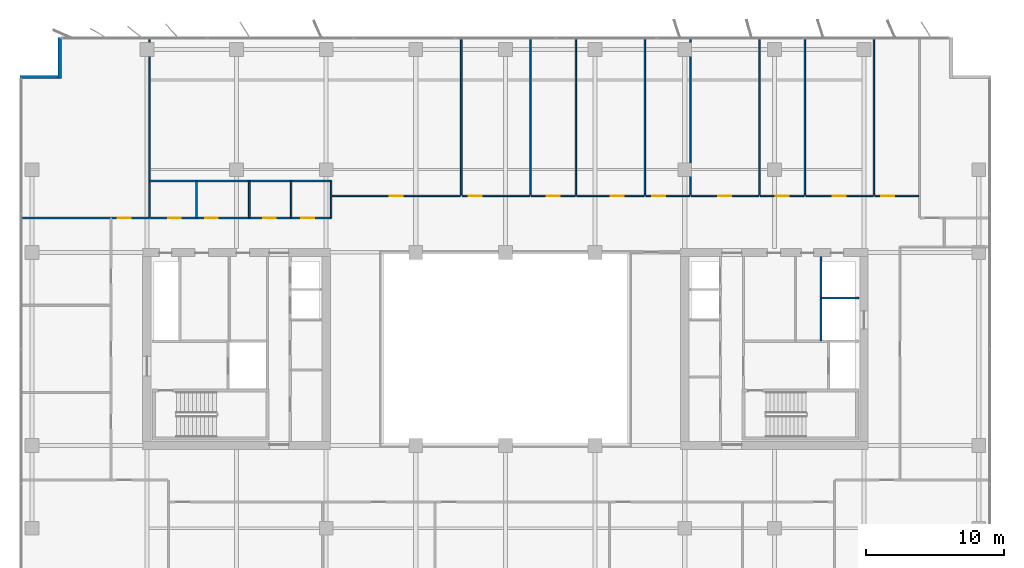
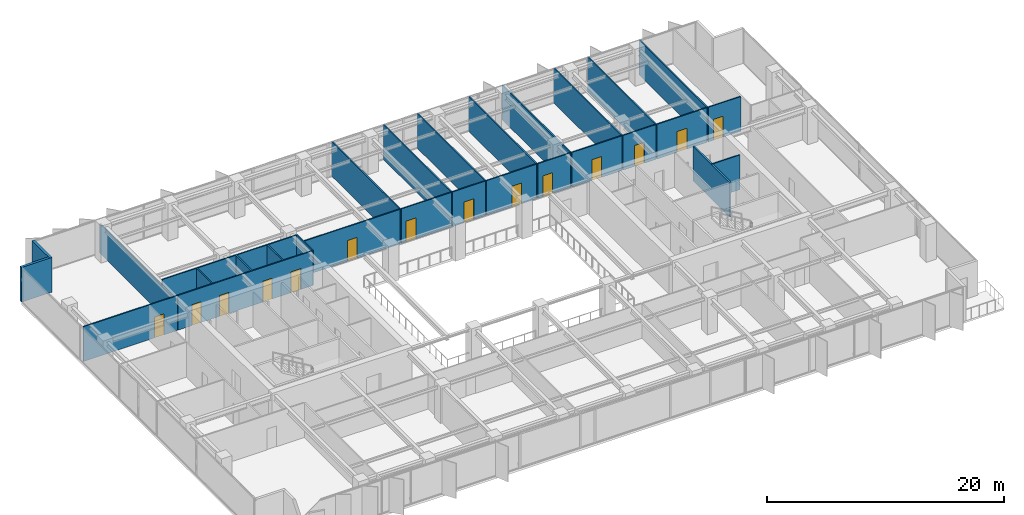
# One storey, part 17 of 22: 29 walls, 14 doors, 14 openings.
"""IFC4 building model written with IfcOpenShell, lengths in metres."""

from ifc_helpers import new_model, si_unit, direction, frame, frame_2d, origin, place, context, subcontext, project, spatial, rectangle, extrude, material, layer, layer_set, type_object, element, fill, save


model = new_model("IFC4")

# Units and contexts
model_context = context("Model", 3, precision=1e-05, world=origin(), true_north=direction((0.0, 1.0)))
body_context = subcontext(model_context, "Body", "Model", "MODEL_VIEW")
ifc_project = project(units=[si_unit("LENGTHUNIT", "METRE"), si_unit("AREAUNIT", "SQUARE_METRE"), si_unit("VOLUMEUNIT", "CUBIC_METRE"), si_unit("PLANEANGLEUNIT", "RADIAN"), si_unit("MASSUNIT", "GRAM", prefix="KILO")], contexts=[model_context])

# Site, building, storey
site_placement = place(None, origin())
site = spatial("IfcSite", under=ifc_project, at=site_placement, CompositionType="ELEMENT")
building_placement = place(site_placement, origin())
building = spatial("IfcBuilding", under=site, at=building_placement, Name="Putna Gate Headquarters", CompositionType="ELEMENT")
storey_placement = place(building_placement, frame((0.0, 0.0, 186.0)))
storey = spatial("IfcBuildingStorey", under=building, at=storey_placement, Name="L46", CompositionType="ELEMENT", Elevation=186.0)

# Walls
ifc_material_1 = material(Name="Precast concrete C40/50", Category="concrete")
ifc_layer_1 = layer(ifc_material_1, 0.239990234375)
ifc_layer_set_1 = layer_set([ifc_layer_1], Name="Precast concrete C40/50")
wall_type_1 = type_object("IfcWallType", Name="WALL-EXT-TERR-240", PredefinedType="STANDARD", material=ifc_layer_set_1)
for number, where, z_axis, x_axis, name in (
    (1, (6.679931640625, 45.60009765625, 0.0), (0.0, 0.0, 1.0), (0.0, 1.0, 0.0), "L46 Corner Notch Return Wall NW-V"),
    (2, (3.800048828125, 45.719970703125, 0.0), (0.0, 0.0, 1.0), (1.0, 0.0, 0.0), "L46 Corner Notch Return Wall NW-H"),
):
    element("IfcWall", number, at=place(storey_placement, frame(where, z_axis=z_axis, x_axis=x_axis)), inside=storey, type_object=wall_type_1, Name=name, PredefinedType="STANDARD", context=body_context, shape_type="SweptSolid", body=[
        extrude(rectangle(XDim=3.0, YDim=0.239990234375, at=frame_2d((1.5, 0.0))), origin(), (0.0, 0.0, 1.0), 3.572021484375),
    ])
ifc_material_2 = material(Name="Acoustic gypsum board on metal stud")
ifc_layer_2 = layer(ifc_material_2, 0.1201171875)
ifc_layer_set_2 = layer_set([ifc_layer_2], Name="Acoustic gypsum board on metal stud")
wall_type_2 = type_object("IfcWallType", Name="WALL-PART-120", PredefinedType="PARTITIONING", material=ifc_layer_set_2)
wall_1_placement = place(storey_placement, frame((13.199951171875, 35.56005859375, 0.0), z_axis=(0.0, 0.0, 1.0), x_axis=(0.0, 1.0, 0.0)))
element("IfcWall", 3, at=wall_1_placement, inside=storey, type_object=wall_type_2, Name="L46 Interior Wall PART-L46-NB-DIV-01", PredefinedType="PARTITIONING", context=body_context, shape_type="SweptSolid", body=[
    extrude(rectangle(XDim=13.02001953125, YDim=0.1201171875, at=frame_2d((6.510009765625, 0.0))), origin(), (0.0, 0.0, 1.0), 3.02197265625),
])
for number, where, z_axis, x_axis, name in (
    (4, (35.800048828125, 37.159912109375, 0.0), (0.0, 0.0, 1.0), (0.0, 1.0, 0.0), "L46 Interior Wall PART-L46-NB-DIV-02"),
    (5, (40.806396484375, 37.159912109375, 0.0), (0.0, 0.0, 1.0), (0.0, 1.0, 0.0), "L46 Interior Wall PART-L46-NB-DIV-03"),
    (6, (44.103515625, 37.159912109375, 0.0), (0.0, 0.0, 1.0), (0.0, 1.0, 0.0), "L46 Interior Wall PART-L46-NB-DIV-04"),
    (7, (49.10986328125, 37.159912109375, 0.0), (0.0, 0.0, 1.0), (0.0, 1.0, 0.0), "L46 Interior Wall PART-L46-NB-DIV-05"),
    (8, (52.40673828125, 37.159912109375, 0.0), (0.0, 0.0, 1.0), (0.0, 1.0, 0.0), "L46 Interior Wall PART-L46-NB-DIV-06"),
    (9, (57.4130859375, 37.159912109375, 0.0), (0.0, 0.0, 1.0), (0.0, 1.0, 0.0), "L46 Interior Wall PART-L46-NB-DIV-07"),
    (10, (60.710205078125, 37.159912109375, 0.0), (0.0, 0.0, 1.0), (0.0, 1.0, 0.0), "L46 Interior Wall PART-L46-NB-DIV-08"),
    (11, (65.716552734375, 37.159912109375, 0.0), (0.0, 0.0, 1.0), (0.0, 1.0, 0.0), "L46 Interior Wall PART-L46-NB-DIV-09"),
):
    element("IfcWall", number, at=place(storey_placement, frame(where, z_axis=z_axis, x_axis=x_axis)), inside=storey, type_object=wall_type_2, Name=name, PredefinedType="PARTITIONING", context=body_context, shape_type="SweptSolid", body=[
        extrude(rectangle(XDim=11.420166015625, YDim=0.1201171875, at=frame_2d((5.7099609375, 0.0))), origin(), (0.0, 0.0, 1.0), 3.572021484375),
    ])
ifc_material_3 = material(Name="Fire-rated shaftwall gypsum board on metal stud")
ifc_layer_3 = layer(ifc_material_3, 0.1201171875)
ifc_layer_set_3 = layer_set([ifc_layer_3], Name="Fire-rated shaftwall gypsum board on metal stud")
wall_type_3 = type_object("IfcWallType", Name="WALL-PART-120-EI120", PredefinedType="PARTITIONING", material=ifc_layer_set_3)
wall_2_placement = place(storey_placement, frame((61.8701171875, 29.699951171875, 0.0), z_axis=(0.0, 0.0, 1.0), x_axis=(1.0, 0.0, 0.0)))
element("IfcWall", 12, at=wall_2_placement, inside=storey, type_object=wall_type_3, Name="L46 Interior Wall CWINT-L46-EC-LF15-N", PredefinedType="PARTITIONING", context=body_context, shape_type="SweptSolid", body=[
    extrude(rectangle(XDim=2.72998046875, YDim=0.1201171875, at=frame_2d((1.364990234375, 0.0))), origin(), (0.0, 0.0, 1.0), 3.572021484375),
])

# Wall, openings, doors
ifc_material_4 = material(Name="Fire-rated gypsum board on metal stud")
ifc_layer_4 = layer(ifc_material_4, 0.1201171875)
ifc_layer_set_4 = layer_set([ifc_layer_4], Name="Fire-rated gypsum board on metal stud")
wall_type_4 = type_object("IfcWallType", Name="WALL-PART-120-RATED", PredefinedType="PARTITIONING", material=ifc_layer_set_4)
wall_3_placement = place(storey_placement, frame((13.199951171875, 35.5, 0.0), z_axis=(0.0, 0.0, 1.0), x_axis=(1.0, 0.0, 0.0)))
wall_3 = element("IfcWall", 13, at=wall_3_placement, inside=storey, type_object=wall_type_4, Name="L46 Interior Wall PART-L46-SAN-CW", PredefinedType="PARTITIONING", context=body_context, shape_type="SweptSolid", body=[
    extrude(rectangle(XDim=13.16015625, YDim=0.1201171875, at=frame_2d((6.580078125, 0.0))), origin(), (0.0, 0.0, 1.0), 3.572021484375),
])
opening_1_placement = place(wall_3_placement, frame((1.35009765625, 0.0, 0.0)))
opening_1 = element("IfcOpeningElement", 14, at=opening_1_placement, cuts=wall_3, Name="Opening FD-90", PredefinedType="OPENING", context=body_context, shape_type="SweptSolid", body=[
    extrude(rectangle(XDim=0.89990234375, YDim=2.14990234375, at=frame_2d((0.449951171875, 1.074951171875))), frame((0.0, 0.070068359375, 0.0), z_axis=(0.0, -1.0, 0.0), x_axis=(1.0, 0.0, 0.0)), (0.0, 0.0, 1.0), 0.14013671875),
])
opening_2_placement = place(wall_3_placement, frame((4.050048828125, 0.0, 0.0)))
opening_2 = element("IfcOpeningElement", 15, at=opening_2_placement, cuts=wall_3, Name="Opening FD-90", PredefinedType="OPENING", context=body_context, shape_type="SweptSolid", body=[
    extrude(rectangle(XDim=0.89990234375, YDim=2.14990234375, at=frame_2d((0.449951171875, 1.074951171875))), frame((0.0, 0.070068359375, 0.0), z_axis=(0.0, -1.0, 0.0), x_axis=(1.0, 0.0, 0.0)), (0.0, 0.0, 1.0), 0.14013671875),
])
opening_3_placement = place(wall_3_placement, frame((8.25, 0.0, 0.0)))
opening_3 = element("IfcOpeningElement", 16, at=opening_3_placement, cuts=wall_3, Name="Opening FD-90", PredefinedType="OPENING", context=body_context, shape_type="SweptSolid", body=[
    extrude(rectangle(XDim=0.89990234375, YDim=2.14990234375, at=frame_2d((0.449951171875, 1.074951171875))), frame((0.0, 0.070068359375, 0.0), z_axis=(0.0, -1.0, 0.0), x_axis=(1.0, 0.0, 0.0)), (0.0, 0.0, 1.0), 0.14013671875),
])
opening_4_placement = place(wall_3_placement, frame((11.0, 0.0, 0.0)))
opening_4 = element("IfcOpeningElement", 17, at=opening_4_placement, cuts=wall_3, Name="Opening FD-95", PredefinedType="OPENING", context=body_context, shape_type="SweptSolid", body=[
    extrude(rectangle(XDim=0.949951171875, YDim=2.14990234375, at=frame_2d((0.47509765625, 1.074951171875))), frame((0.0, 0.070068359375, 0.0), z_axis=(0.0, -1.0, 0.0), x_axis=(1.0, 0.0, 0.0)), (0.0, 0.0, 1.0), 0.14013671875),
])
ifc_material_5 = material(Name="Acoustic washroom fire door")
door_type_1 = type_object("IfcDoorType", Name="DOOR-FIRE-900", OperationType="NOTDEFINED", PredefinedType="DOOR", material=ifc_material_5)
door_1_placement = place(opening_1_placement, origin())
door_1 = element("IfcDoor", 18, at=door_1_placement, inside=storey, type_object=door_type_1, Name="L46 Washroom Male Door", OperationType="SINGLE_SWING_RIGHT", OverallHeight=2.14990234375, OverallWidth=0.89990234375, PredefinedType="DOOR", context=body_context, shape_type="SweptSolid", body=[
    extrude(rectangle(XDim=0.89990234375, YDim=2.14990234375, at=frame_2d((0.449951171875, 1.074951171875))), frame((0.0, 0.02490234375, 0.0), z_axis=(0.0, -1.0, 0.0), x_axis=(1.0, 0.0, 0.0)), (0.0, 0.0, 1.0), 0.050048828125),
])
fill(opening_1, door_1)
door_2_placement = place(opening_2_placement, origin())
door_2 = element("IfcDoor", 19, at=door_2_placement, inside=storey, type_object=door_type_1, Name="L46 Washroom Female Door", OperationType="SINGLE_SWING_LEFT", OverallHeight=2.14990234375, OverallWidth=0.89990234375, PredefinedType="DOOR", context=body_context, shape_type="SweptSolid", body=[
    extrude(rectangle(XDim=0.89990234375, YDim=2.14990234375, at=frame_2d((0.449951171875, 1.074951171875))), frame((0.0, 0.02490234375, 0.0), z_axis=(0.0, -1.0, 0.0), x_axis=(1.0, 0.0, 0.0)), (0.0, 0.0, 1.0), 0.050048828125),
])
fill(opening_2, door_2)
door_3_placement = place(opening_3_placement, origin())
door_3 = element("IfcDoor", 20, at=door_3_placement, inside=storey, type_object=door_type_1, Name="L46 Accessible WC Door", OperationType="SINGLE_SWING_RIGHT", OverallHeight=2.14990234375, OverallWidth=0.89990234375, PredefinedType="DOOR", context=body_context, shape_type="SweptSolid", body=[
    extrude(rectangle(XDim=0.89990234375, YDim=2.14990234375, at=frame_2d((0.449951171875, 1.074951171875))), frame((0.0, 0.02490234375, 0.0), z_axis=(0.0, -1.0, 0.0), x_axis=(1.0, 0.0, 0.0)), (0.0, 0.0, 1.0), 0.050048828125),
])
fill(opening_3, door_3)
ifc_material_6 = material(Name="Acoustic timber fire door", Category="wood")
door_type_2 = type_object("IfcDoorType", Name="DOOR-FIRE-950", OperationType="NOTDEFINED", PredefinedType="DOOR", material=ifc_material_6)
door_4_placement = place(opening_4_placement, origin())
door_4 = element("IfcDoor", 21, at=door_4_placement, inside=storey, type_object=door_type_2, Name="L46 Staff Pantry and Tea Point Door", OperationType="SINGLE_SWING_LEFT", OverallHeight=2.14990234375, OverallWidth=0.949951171875, PredefinedType="DOOR", context=body_context, shape_type="SweptSolid", body=[
    extrude(rectangle(XDim=0.949951171875, YDim=2.14990234375, at=frame_2d((0.47509765625, 1.074951171875))), frame((0.0, 0.02490234375, 0.0), z_axis=(0.0, -1.0, 0.0), x_axis=(1.0, 0.0, 0.0)), (0.0, 0.0, 1.0), 0.050048828125),
])
fill(opening_4, door_4)

# Walls
wall_4_placement = place(storey_placement, frame((13.199951171875, 38.179931640625, 0.0), z_axis=(0.0, 0.0, 1.0), x_axis=(1.0, 0.0, 0.0)))
element("IfcWall", 22, at=wall_4_placement, inside=storey, type_object=wall_type_4, Name="L46 Interior Wall PART-L46-SAN-BACK", PredefinedType="PARTITIONING", context=body_context, shape_type="SweptSolid", body=[
    extrude(rectangle(XDim=13.16015625, YDim=0.1201171875, at=frame_2d((6.580078125, 0.0))), origin(), (0.0, 0.0, 1.0), 3.572021484375),
])
for number, where, z_axis, x_axis, name in (
    (23, (16.60009765625, 35.5, 0.0), (0.0, 0.0, 1.0), (0.0, 1.0, 0.0), "L46 Interior Wall PART-L46-SAN-DIV-1"),
    (24, (20.419921875, 35.5, 0.0), (0.0, 0.0, 1.0), (0.0, 1.0, 0.0), "L46 Interior Wall PART-L46-SAN-DIV-2"),
    (25, (23.4599609375, 35.5, 0.0), (0.0, 0.0, 1.0), (0.0, 1.0, 0.0), "L46 Interior Wall PART-L46-SAN-DIV-3"),
    (26, (26.360107421875, 35.5, 0.0), (0.0, 0.0, 1.0), (0.0, 1.0, 0.0), "L46 Interior Wall PART-L46-SAN-DIV-4"),
):
    element("IfcWall", number, at=place(storey_placement, frame(where, z_axis=z_axis, x_axis=x_axis)), inside=storey, type_object=wall_type_4, Name=name, PredefinedType="PARTITIONING", context=body_context, shape_type="SweptSolid", body=[
        extrude(rectangle(XDim=2.679931640625, YDim=0.1201171875, at=frame_2d((1.33984375, 0.0))), origin(), (0.0, 0.0, 1.0), 3.572021484375),
    ])

# Wall, opening, door
wall_5_placement = place(storey_placement, frame((3.97998046875, 35.5, 0.0), z_axis=(0.0, 0.0, 1.0), x_axis=(1.0, 0.0, 0.0)))
wall_5 = element("IfcWall", 27, at=wall_5_placement, inside=storey, type_object=wall_type_4, Name="L46 Interior Wall PART-L46-NB-CW-01", PredefinedType="PARTITIONING", context=body_context, shape_type="SweptSolid", body=[
    extrude(rectangle(XDim=9.159912109375, YDim=0.1201171875, at=frame_2d((4.580078125, 0.0))), origin(), (0.0, 0.0, 1.0), 3.572021484375),
])
opening_5_placement = place(wall_5_placement, frame((6.89990234375, 0.0, 0.0)))
opening_5 = element("IfcOpeningElement", 28, at=opening_5_placement, cuts=wall_5, Name="Opening FD-95", PredefinedType="OPENING", context=body_context, shape_type="SweptSolid", body=[
    extrude(rectangle(XDim=0.949951171875, YDim=2.14990234375, at=frame_2d((0.47509765625, 1.074951171875))), frame((0.0, 0.070068359375, 0.0), z_axis=(0.0, -1.0, 0.0), x_axis=(1.0, 0.0, 0.0)), (0.0, 0.0, 1.0), 0.14013671875),
])
door_5_placement = place(opening_5_placement, origin())
door_5 = element("IfcDoor", 29, at=door_5_placement, inside=storey, type_object=door_type_2, Name="L46 Conference Meeting Room 3 Door", OperationType="SINGLE_SWING_RIGHT", OverallHeight=2.14990234375, OverallWidth=0.949951171875, PredefinedType="DOOR", context=body_context, shape_type="SweptSolid", body=[
    extrude(rectangle(XDim=0.949951171875, YDim=2.14990234375, at=frame_2d((0.47509765625, 1.074951171875))), frame((0.0, 0.02490234375, 0.0), z_axis=(0.0, -1.0, 0.0), x_axis=(1.0, 0.0, 0.0)), (0.0, 0.0, 1.0), 0.050048828125),
])
fill(opening_5, door_5)

wall_6_placement = place(storey_placement, frame((26.419921875, 37.10009765625, 0.0), z_axis=(0.0, 0.0, 1.0), x_axis=(1.0, 0.0, 0.0)))
wall_6 = element("IfcWall", 30, at=wall_6_placement, inside=storey, type_object=wall_type_4, Name="L46 Interior Wall PART-L46-NB-CW-02", PredefinedType="PARTITIONING", context=body_context, shape_type="SweptSolid", body=[
    extrude(rectangle(XDim=9.320068359375, YDim=0.1201171875, at=frame_2d((4.66015625, 0.0))), origin(), (0.0, 0.0, 1.0), 3.572021484375),
])
opening_6_placement = place(wall_6_placement, frame((4.18505859375, 0.0, 0.0)))
opening_6 = element("IfcOpeningElement", 31, at=opening_6_placement, cuts=wall_6, Name="Opening FD-95", PredefinedType="OPENING", context=body_context, shape_type="SweptSolid", body=[
    extrude(rectangle(XDim=0.949951171875, YDim=2.14990234375, at=frame_2d((0.47509765625, 1.074951171875))), frame((0.0, 0.070068359375, 0.0), z_axis=(0.0, -1.0, 0.0), x_axis=(1.0, 0.0, 0.0)), (0.0, 0.0, 1.0), 0.14013671875),
])
door_6_placement = place(opening_6_placement, origin())
door_6 = element("IfcDoor", 32, at=door_6_placement, inside=storey, type_object=door_type_2, Name="L46 Primary Open Office Workplace Door", OperationType="SINGLE_SWING_LEFT", OverallHeight=2.14990234375, OverallWidth=0.949951171875, PredefinedType="DOOR", context=body_context, shape_type="SweptSolid", body=[
    extrude(rectangle(XDim=0.949951171875, YDim=2.14990234375, at=frame_2d((0.47509765625, 1.074951171875))), frame((0.0, 0.02490234375, 0.0), z_axis=(0.0, -1.0, 0.0), x_axis=(1.0, 0.0, 0.0)), (0.0, 0.0, 1.0), 0.050048828125),
])
fill(opening_6, door_6)

wall_7_placement = place(storey_placement, frame((35.860107421875, 37.10009765625, 0.0), z_axis=(0.0, 0.0, 1.0), x_axis=(1.0, 0.0, 0.0)))
wall_7 = element("IfcWall", 33, at=wall_7_placement, inside=storey, type_object=wall_type_4, Name="L46 Interior Wall PART-L46-NB-CW-03", PredefinedType="PARTITIONING", context=body_context, shape_type="SweptSolid", body=[
    extrude(rectangle(XDim=4.886474609375, YDim=0.1201171875, at=frame_2d((2.443359375, 0.0))), origin(), (0.0, 0.0, 1.0), 3.572021484375),
])
opening_7_placement = place(wall_7_placement, frame((0.47998046875, 0.0, 0.0)))
opening_7 = element("IfcOpeningElement", 34, at=opening_7_placement, cuts=wall_7, Name="Opening FD-95", PredefinedType="OPENING", context=body_context, shape_type="SweptSolid", body=[
    extrude(rectangle(XDim=0.949951171875, YDim=2.14990234375, at=frame_2d((0.47509765625, 1.074951171875))), frame((0.0, 0.070068359375, 0.0), z_axis=(0.0, -1.0, 0.0), x_axis=(1.0, 0.0, 0.0)), (0.0, 0.0, 1.0), 0.14013671875),
])
door_7_placement = place(opening_7_placement, origin())
door_7 = element("IfcDoor", 35, at=door_7_placement, inside=storey, type_object=door_type_2, Name="L46 Collaborative Breakout Lounge 1 Door", OperationType="SINGLE_SWING_RIGHT", OverallHeight=2.14990234375, OverallWidth=0.949951171875, PredefinedType="DOOR", context=body_context, shape_type="SweptSolid", body=[
    extrude(rectangle(XDim=0.949951171875, YDim=2.14990234375, at=frame_2d((0.47509765625, 1.074951171875))), frame((0.0, 0.02490234375, 0.0), z_axis=(0.0, -1.0, 0.0), x_axis=(1.0, 0.0, 0.0)), (0.0, 0.0, 1.0), 0.050048828125),
])
fill(opening_7, door_7)

wall_8_placement = place(storey_placement, frame((40.866455078125, 37.10009765625, 0.0), z_axis=(0.0, 0.0, 1.0), x_axis=(1.0, 0.0, 0.0)))
wall_8 = element("IfcWall", 36, at=wall_8_placement, inside=storey, type_object=wall_type_4, Name="L46 Interior Wall PART-L46-NB-CW-04", PredefinedType="PARTITIONING", context=body_context, shape_type="SweptSolid", body=[
    extrude(rectangle(XDim=3.177001953125, YDim=0.1201171875, at=frame_2d((1.58837890625, 0.0))), origin(), (0.0, 0.0, 1.0), 3.572021484375),
])
opening_8_placement = place(wall_8_placement, frame((1.11328125, 0.0, 0.0)))
opening_8 = element("IfcOpeningElement", 37, at=opening_8_placement, cuts=wall_8, Name="Opening FD-95", PredefinedType="OPENING", context=body_context, shape_type="SweptSolid", body=[
    extrude(rectangle(XDim=0.949951171875, YDim=2.14990234375, at=frame_2d((0.47509765625, 1.074951171875))), frame((0.0, 0.070068359375, 0.0), z_axis=(0.0, -1.0, 0.0), x_axis=(1.0, 0.0, 0.0)), (0.0, 0.0, 1.0), 0.14013671875),
])
door_8_placement = place(opening_8_placement, origin())
door_8 = element("IfcDoor", 38, at=door_8_placement, inside=storey, type_object=door_type_2, Name="L46 Collaborative Breakout Lounge 2 Door", OperationType="SINGLE_SWING_LEFT", OverallHeight=2.14990234375, OverallWidth=0.949951171875, PredefinedType="DOOR", context=body_context, shape_type="SweptSolid", body=[
    extrude(rectangle(XDim=0.949951171875, YDim=2.14990234375, at=frame_2d((0.47509765625, 1.074951171875))), frame((0.0, 0.02490234375, 0.0), z_axis=(0.0, -1.0, 0.0), x_axis=(1.0, 0.0, 0.0)), (0.0, 0.0, 1.0), 0.050048828125),
])
fill(opening_8, door_8)

wall_9_placement = place(storey_placement, frame((44.163330078125, 37.10009765625, 0.0), z_axis=(0.0, 0.0, 1.0), x_axis=(1.0, 0.0, 0.0)))
wall_9 = element("IfcWall", 39, at=wall_9_placement, inside=storey, type_object=wall_type_4, Name="L46 Interior Wall PART-L46-NB-CW-05", PredefinedType="PARTITIONING", context=body_context, shape_type="SweptSolid", body=[
    extrude(rectangle(XDim=4.886474609375, YDim=0.1201171875, at=frame_2d((2.443359375, 0.0))), origin(), (0.0, 0.0, 1.0), 3.572021484375),
])
opening_9_placement = place(wall_9_placement, frame((2.470458984375, 0.0, 0.0)))
opening_9 = element("IfcOpeningElement", 40, at=opening_9_placement, cuts=wall_9, Name="Opening FD-95", PredefinedType="OPENING", context=body_context, shape_type="SweptSolid", body=[
    extrude(rectangle(XDim=0.949951171875, YDim=2.14990234375, at=frame_2d((0.47509765625, 1.074951171875))), frame((0.0, 0.070068359375, 0.0), z_axis=(0.0, -1.0, 0.0), x_axis=(1.0, 0.0, 0.0)), (0.0, 0.0, 1.0), 0.14013671875),
])
door_9_placement = place(opening_9_placement, origin())
door_9 = element("IfcDoor", 41, at=door_9_placement, inside=storey, type_object=door_type_2, Name="L46 Quiet Wellness Focus Studio 1 Door", OperationType="SINGLE_SWING_RIGHT", OverallHeight=2.14990234375, OverallWidth=0.949951171875, PredefinedType="DOOR", context=body_context, shape_type="SweptSolid", body=[
    extrude(rectangle(XDim=0.949951171875, YDim=2.14990234375, at=frame_2d((0.47509765625, 1.074951171875))), frame((0.0, 0.02490234375, 0.0), z_axis=(0.0, -1.0, 0.0), x_axis=(1.0, 0.0, 0.0)), (0.0, 0.0, 1.0), 0.050048828125),
])
fill(opening_9, door_9)

wall_10_placement = place(storey_placement, frame((49.169921875, 37.10009765625, 0.0), z_axis=(0.0, 0.0, 1.0), x_axis=(1.0, 0.0, 0.0)))
wall_10 = element("IfcWall", 42, at=wall_10_placement, inside=storey, type_object=wall_type_4, Name="L46 Interior Wall PART-L46-NB-CW-06", PredefinedType="PARTITIONING", context=body_context, shape_type="SweptSolid", body=[
    extrude(rectangle(XDim=3.1767578125, YDim=0.1201171875, at=frame_2d((1.58837890625, 0.0))), origin(), (0.0, 0.0, 1.0), 3.572021484375),
])
opening_10_placement = place(wall_10_placement, frame((0.47998046875, 0.0, 0.0)))
opening_10 = element("IfcOpeningElement", 43, at=opening_10_placement, cuts=wall_10, Name="Opening FD-95", PredefinedType="OPENING", context=body_context, shape_type="SweptSolid", body=[
    extrude(rectangle(XDim=0.949951171875, YDim=2.14990234375, at=frame_2d((0.47509765625, 1.074951171875))), frame((0.0, 0.070068359375, 0.0), z_axis=(0.0, -1.0, 0.0), x_axis=(1.0, 0.0, 0.0)), (0.0, 0.0, 1.0), 0.14013671875),
])
door_10_placement = place(opening_10_placement, origin())
door_10 = element("IfcDoor", 44, at=door_10_placement, inside=storey, type_object=door_type_2, Name="L46 Quiet Wellness Focus Studio 2 Door", OperationType="SINGLE_SWING_LEFT", OverallHeight=2.14990234375, OverallWidth=0.949951171875, PredefinedType="DOOR", context=body_context, shape_type="SweptSolid", body=[
    extrude(rectangle(XDim=0.949951171875, YDim=2.14990234375, at=frame_2d((0.47509765625, 1.074951171875))), frame((0.0, 0.02490234375, 0.0), z_axis=(0.0, -1.0, 0.0), x_axis=(1.0, 0.0, 0.0)), (0.0, 0.0, 1.0), 0.050048828125),
])
fill(opening_10, door_10)

wall_11_placement = place(storey_placement, frame((52.466796875, 37.10009765625, 0.0), z_axis=(0.0, 0.0, 1.0), x_axis=(1.0, 0.0, 0.0)))
wall_11 = element("IfcWall", 45, at=wall_11_placement, inside=storey, type_object=wall_type_4, Name="L46 Interior Wall PART-L46-NB-CW-07", PredefinedType="PARTITIONING", context=body_context, shape_type="SweptSolid", body=[
    extrude(rectangle(XDim=4.886474609375, YDim=0.1201171875, at=frame_2d((2.443359375, 0.0))), origin(), (0.0, 0.0, 1.0), 3.572021484375),
])
opening_11_placement = place(wall_11_placement, frame((1.96826171875, 0.0, 0.0)))
opening_11 = element("IfcOpeningElement", 46, at=opening_11_placement, cuts=wall_11, Name="Opening FD-95", PredefinedType="OPENING", context=body_context, shape_type="SweptSolid", body=[
    extrude(rectangle(XDim=0.949951171875, YDim=2.14990234375, at=frame_2d((0.47509765625, 1.074951171875))), frame((0.0, 0.070068359375, 0.0), z_axis=(0.0, -1.0, 0.0), x_axis=(1.0, 0.0, 0.0)), (0.0, 0.0, 1.0), 0.14013671875),
])
door_11_placement = place(opening_11_placement, origin())
door_11 = element("IfcDoor", 47, at=door_11_placement, inside=storey, type_object=door_type_2, Name="L46 Quiet Wellness Focus Studio 3 Door", OperationType="SINGLE_SWING_RIGHT", OverallHeight=2.14990234375, OverallWidth=0.949951171875, PredefinedType="DOOR", context=body_context, shape_type="SweptSolid", body=[
    extrude(rectangle(XDim=0.949951171875, YDim=2.14990234375, at=frame_2d((0.47509765625, 1.074951171875))), frame((0.0, 0.02490234375, 0.0), z_axis=(0.0, -1.0, 0.0), x_axis=(1.0, 0.0, 0.0)), (0.0, 0.0, 1.0), 0.050048828125),
])
fill(opening_11, door_11)

wall_12_placement = place(storey_placement, frame((57.47314453125, 37.10009765625, 0.0), z_axis=(0.0, 0.0, 1.0), x_axis=(1.0, 0.0, 0.0)))
wall_12 = element("IfcWall", 48, at=wall_12_placement, inside=storey, type_object=wall_type_4, Name="L46 Interior Wall PART-L46-NB-CW-08", PredefinedType="PARTITIONING", context=body_context, shape_type="SweptSolid", body=[
    extrude(rectangle(XDim=3.177001953125, YDim=0.1201171875, at=frame_2d((1.58837890625, 0.0))), origin(), (0.0, 0.0, 1.0), 3.572021484375),
])
opening_12_placement = place(wall_12_placement, frame((1.113525390625, 0.0, 0.0)))
opening_12 = element("IfcOpeningElement", 49, at=opening_12_placement, cuts=wall_12, Name="Opening FD-95", PredefinedType="OPENING", context=body_context, shape_type="SweptSolid", body=[
    extrude(rectangle(XDim=0.949951171875, YDim=2.14990234375, at=frame_2d((0.47509765625, 1.074951171875))), frame((0.0, 0.070068359375, 0.0), z_axis=(0.0, -1.0, 0.0), x_axis=(1.0, 0.0, 0.0)), (0.0, 0.0, 1.0), 0.14013671875),
])
door_12_placement = place(opening_12_placement, origin())
door_12 = element("IfcDoor", 50, at=door_12_placement, inside=storey, type_object=door_type_2, Name="L46 Cellular Office 1 Door", OperationType="SINGLE_SWING_LEFT", OverallHeight=2.14990234375, OverallWidth=0.949951171875, PredefinedType="DOOR", context=body_context, shape_type="SweptSolid", body=[
    extrude(rectangle(XDim=0.949951171875, YDim=2.14990234375, at=frame_2d((0.47509765625, 1.074951171875))), frame((0.0, 0.02490234375, 0.0), z_axis=(0.0, -1.0, 0.0), x_axis=(1.0, 0.0, 0.0)), (0.0, 0.0, 1.0), 0.050048828125),
])
fill(opening_12, door_12)

wall_13_placement = place(storey_placement, frame((60.770263671875, 37.10009765625, 0.0), z_axis=(0.0, 0.0, 1.0), x_axis=(1.0, 0.0, 0.0)))
wall_13 = element("IfcWall", 51, at=wall_13_placement, inside=storey, type_object=wall_type_4, Name="L46 Interior Wall PART-L46-NB-CW-09", PredefinedType="PARTITIONING", context=body_context, shape_type="SweptSolid", body=[
    extrude(rectangle(XDim=4.88623046875, YDim=0.1201171875, at=frame_2d((2.443115234375, 0.0))), origin(), (0.0, 0.0, 1.0), 3.572021484375),
])
opening_13_placement = place(wall_13_placement, frame((1.96826171875, 0.0, 0.0)))
opening_13 = element("IfcOpeningElement", 52, at=opening_13_placement, cuts=wall_13, Name="Opening FD-95", PredefinedType="OPENING", context=body_context, shape_type="SweptSolid", body=[
    extrude(rectangle(XDim=0.949951171875, YDim=2.14990234375, at=frame_2d((0.47509765625, 1.074951171875))), frame((0.0, 0.070068359375, 0.0), z_axis=(0.0, -1.0, 0.0), x_axis=(1.0, 0.0, 0.0)), (0.0, 0.0, 1.0), 0.14013671875),
])
door_13_placement = place(opening_13_placement, origin())
door_13 = element("IfcDoor", 53, at=door_13_placement, inside=storey, type_object=door_type_2, Name="L46 Cellular Office 2 Door", OperationType="SINGLE_SWING_RIGHT", OverallHeight=2.14990234375, OverallWidth=0.949951171875, PredefinedType="DOOR", context=body_context, shape_type="SweptSolid", body=[
    extrude(rectangle(XDim=0.949951171875, YDim=2.14990234375, at=frame_2d((0.47509765625, 1.074951171875))), frame((0.0, 0.02490234375, 0.0), z_axis=(0.0, -1.0, 0.0), x_axis=(1.0, 0.0, 0.0)), (0.0, 0.0, 1.0), 0.050048828125),
])
fill(opening_13, door_13)

wall_14_placement = place(storey_placement, frame((65.776611328125, 37.10009765625, 0.0), z_axis=(0.0, 0.0, 1.0), x_axis=(1.0, 0.0, 0.0)))
wall_14 = element("IfcWall", 54, at=wall_14_placement, inside=storey, type_object=wall_type_4, Name="L46 Interior Wall PART-L46-NB-CW-10", PredefinedType="PARTITIONING", context=body_context, shape_type="SweptSolid", body=[
    extrude(rectangle(XDim=3.177001953125, YDim=0.1201171875, at=frame_2d((1.58837890625, 0.0))), origin(), (0.0, 0.0, 1.0), 3.572021484375),
])
opening_14_placement = place(wall_14_placement, frame((0.47998046875, 0.0, 0.0)))
opening_14 = element("IfcOpeningElement", 55, at=opening_14_placement, cuts=wall_14, Name="Opening FD-95", PredefinedType="OPENING", context=body_context, shape_type="SweptSolid", body=[
    extrude(rectangle(XDim=0.949951171875, YDim=2.14990234375, at=frame_2d((0.47509765625, 1.074951171875))), frame((0.0, 0.070068359375, 0.0), z_axis=(0.0, -1.0, 0.0), x_axis=(1.0, 0.0, 0.0)), (0.0, 0.0, 1.0), 0.14013671875),
])
door_14_placement = place(opening_14_placement, origin())
door_14 = element("IfcDoor", 56, at=door_14_placement, inside=storey, type_object=door_type_2, Name="L46 Cellular Office 3 Door", OperationType="SINGLE_SWING_LEFT", OverallHeight=2.14990234375, OverallWidth=0.949951171875, PredefinedType="DOOR", context=body_context, shape_type="SweptSolid", body=[
    extrude(rectangle(XDim=0.949951171875, YDim=2.14990234375, at=frame_2d((0.47509765625, 1.074951171875))), frame((0.0, 0.02490234375, 0.0), z_axis=(0.0, -1.0, 0.0), x_axis=(1.0, 0.0, 0.0)), (0.0, 0.0, 1.0), 0.050048828125),
])
fill(opening_14, door_14)

# Wall
ifc_material_7 = material(Name="Concrete C40/50", Category="concrete")
ifc_layer_5 = layer(ifc_material_7, 0.159912109375)
ifc_layer_set_5 = layer_set([ifc_layer_5], Name="Concrete C40/50")
wall_type_5 = type_object("IfcWallType", Name="WALL-SHAFT-160", PredefinedType="STANDARD", material=ifc_layer_set_5)
wall_15_placement = place(storey_placement, frame((61.8701171875, 26.56005859375, 0.0), z_axis=(0.0, 0.0, 1.0), x_axis=(0.0, 1.0, 0.0)))
element("IfcWall", 57, at=wall_15_placement, inside=storey, type_object=wall_type_5, Name="L46 Interior Wall CWINT-L46-EC-LF15-W", PredefinedType="STANDARD", context=body_context, shape_type="SweptSolid", body=[
    extrude(rectangle(XDim=6.139892578125, YDim=0.159912109375, at=frame_2d((3.06982421875, 0.0))), origin(), (0.0, 0.0, 1.0), 3.572021484375),
])

save(model, "model.ifc")
